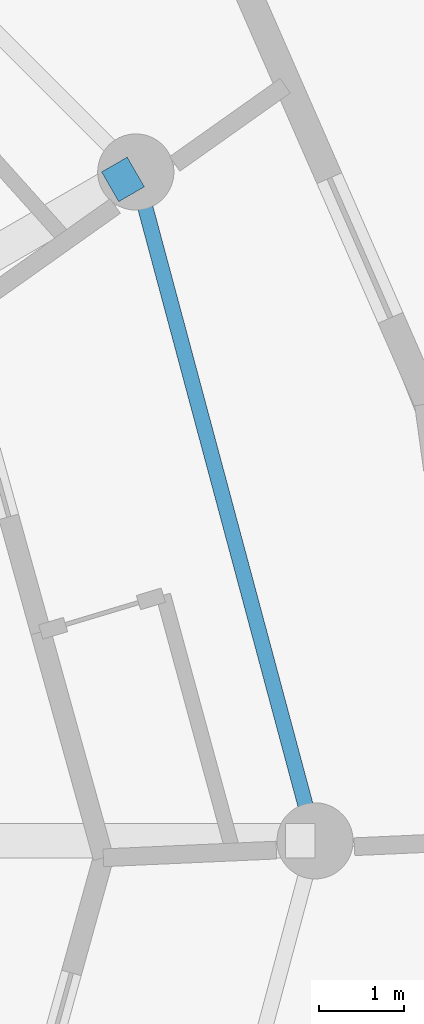
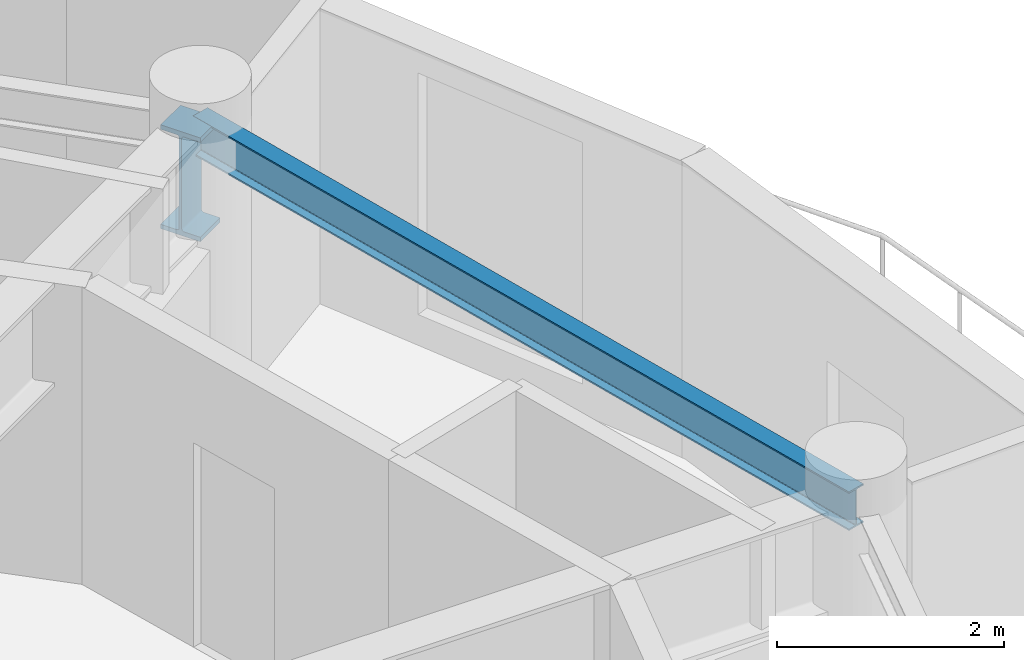
# One storey, part 11 of 22: 2 beams.
"""IFC4 building model written with IfcOpenShell, lengths in metres."""

from ifc_helpers import new_model, si_unit, direction, frame, origin, origin_2d, place, context, subcontext, project, spatial, i_section, extrude, material, material_profile, profile_set, type_object, element, save


model = new_model("IFC4")

# Units and contexts
model_context = context("Model", 3, precision=1e-05, world=origin(), true_north=direction((0.0, 1.0)))
body_context = subcontext(model_context, "Body", "Model", "MODEL_VIEW")
ifc_project = project(units=[si_unit("LENGTHUNIT", "METRE"), si_unit("AREAUNIT", "SQUARE_METRE"), si_unit("VOLUMEUNIT", "CUBIC_METRE"), si_unit("PLANEANGLEUNIT", "RADIAN"), si_unit("MASSUNIT", "GRAM", prefix="KILO")], contexts=[model_context])

# Site, building, storey
site_placement = place(None, origin())
site = spatial("IfcSite", under=ifc_project, at=site_placement, CompositionType="ELEMENT")
building_placement = place(site_placement, origin())
building = spatial("IfcBuilding", under=site, at=building_placement, Name="Solvirekh Grand Hotel", CompositionType="ELEMENT")
storey_placement = place(building_placement, frame((0.0, 0.0, 230.800048828125)))
storey = spatial("IfcBuildingStorey", under=building, at=storey_placement, Name="L60", CompositionType="ELEMENT", Elevation=230.800048828125)

# Beams
ifc_material_1 = material(Name="Steel S355", Category="steel")
ifc_material_profile_1 = material_profile(ifc_material_1, i_section(OverallWidth=0.180908203125, OverallDepth=0.4169921875, WebThickness=0.010009765625, FlangeThickness=0.01611328125, FilletRadius=0.011962890625, at=origin_2d()), Name="W410X85")
ifc_profile_set_1 = profile_set([ifc_material_profile_1], Name="Steel S355")
beam_type_1 = type_object("IfcBeamType", Name="Spandrel_Ring_W410", PredefinedType="SPANDREL", material=ifc_profile_set_1)
beam_1_placement = place(storey_placement, frame((15.800048828125, 0.0, 2.991943359375), z_axis=(-0.258838541915, 0.965920601923, 0.0), x_axis=(-0.965920601923, -0.258838541915, 0.0)))
element("IfcBeam", 1, at=beam_1_placement, inside=storey, type_object=beam_type_1, Name="L60 perimeter spandrel beam 1", PredefinedType="SPANDREL", context=body_context, shape_type="SweptSolid", body=[
    extrude(i_section(OverallWidth=0.180908203125, OverallDepth=0.4169921875, WebThickness=0.010009765625, FlangeThickness=0.01611328125, FilletRadius=0.011962890625, at=origin_2d()), origin(), (0.0, 0.0, 1.0), 8.1787109375),
])
ifc_material_2 = material(Name="Steel S460", Category="steel")
ifc_material_profile_2 = material_profile(ifc_material_2, i_section(OverallWidth=0.405029296875, OverallDepth=1.117919921875, WebThickness=0.02587890625, FlangeThickness=0.048095703125, FilletRadius=0.02392578125, at=origin_2d()), Name="W1100X499")
ifc_profile_set_2 = profile_set([ifc_material_profile_2], Name="Steel S460")
beam_type_2 = type_object("IfcBeamType", Name="TransferGirder_W1100", PredefinedType="USERDEFINED", material=ifc_profile_set_2)
beam_2_placement = place(storey_placement, frame((13.3798828125, 7.72509765625, 2.640869140625), z_axis=(0.866348119543, 0.499440622861, 0.0), x_axis=(-0.499440622861, 0.866348119543, 0.0)))
element("IfcBeam", 2, at=beam_2_placement, inside=storey, type_object=beam_type_2, Name="L60 outer radial transfer girder 2B", ObjectType="TRANSFER GIRDER", PredefinedType="USERDEFINED", context=body_context, shape_type="SweptSolid", body=[
    extrude(i_section(OverallWidth=0.405029296875, OverallDepth=1.117919921875, WebThickness=0.02587890625, FlangeThickness=0.048095703125, FilletRadius=0.02392578125, at=origin_2d()), origin(), (0.0, 0.0, 1.0), 0.35009765625),
])

save(model, "model.ifc")
